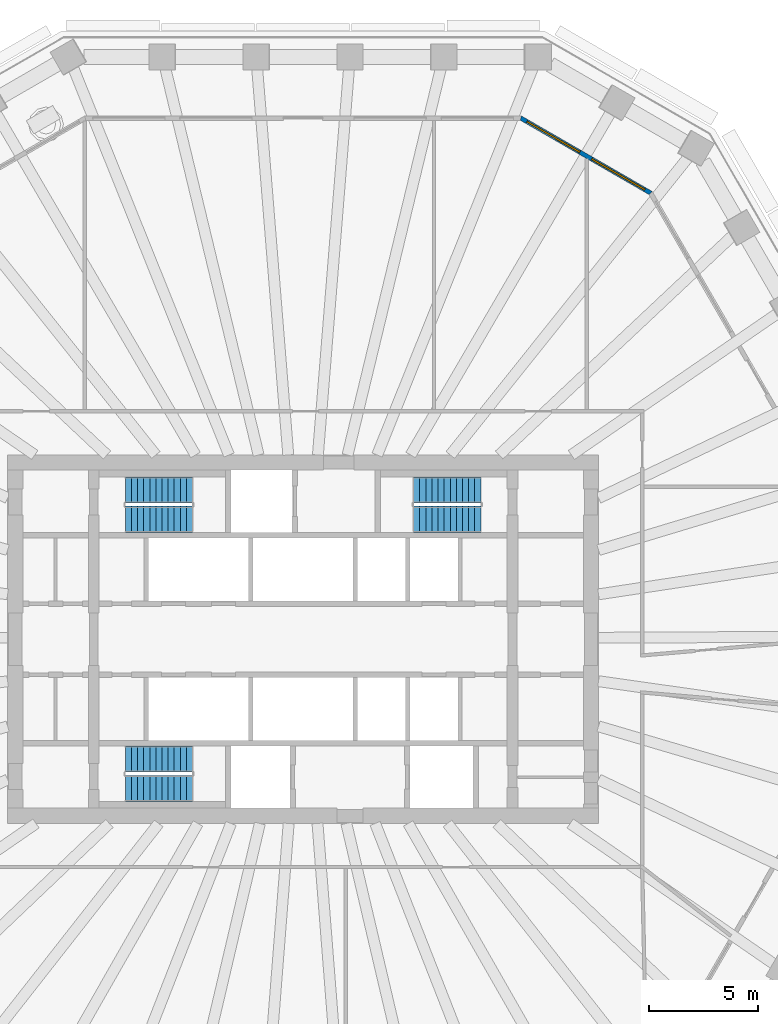
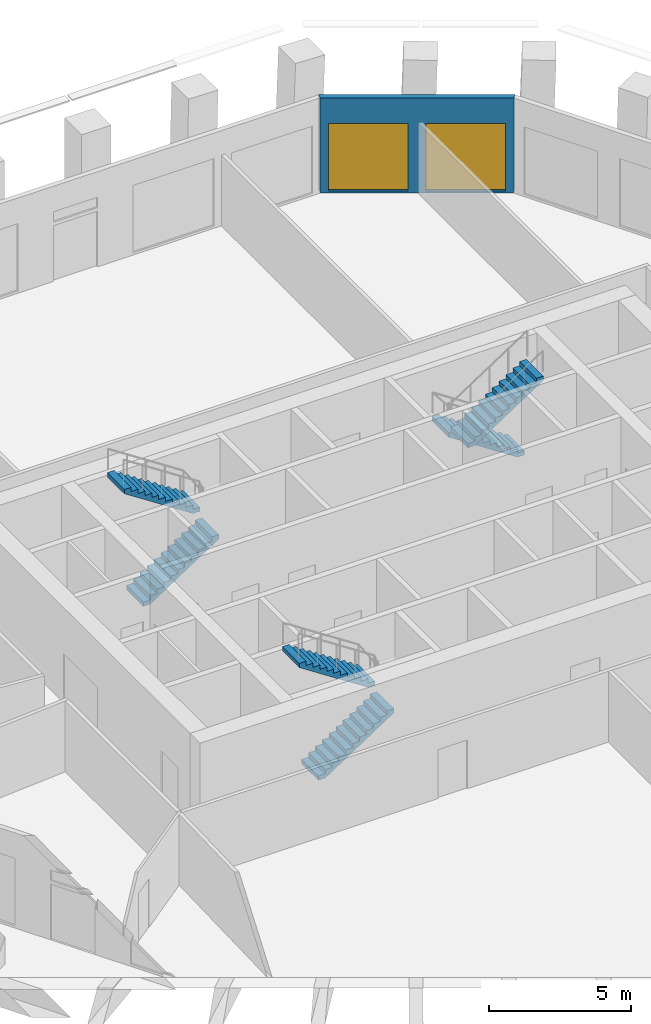
# One storey, part 8 of 12: 6 stair flights, 2 windows, 1 wall, 2 openings, 3 elements without a shape of their own.
"""IFC4 building model written with IfcOpenShell, lengths in metres."""

from ifc_helpers import new_model, si_unit, direction, frame, frame_2d, origin, place, context, subcontext, project, spatial, polyline, rectangle, outline, extrude, material, layer, layer_set, type_object, element, fill, aggregate, save


model = new_model("IFC4")

# Units and contexts
model_context = context("Model", 3, precision=1e-05, world=origin(), true_north=direction((0.0, 1.0)))
body_context = subcontext(model_context, "Body", "Model", "MODEL_VIEW")
ifc_project = project(units=[si_unit("LENGTHUNIT", "METRE"), si_unit("AREAUNIT", "SQUARE_METRE"), si_unit("VOLUMEUNIT", "CUBIC_METRE"), si_unit("PLANEANGLEUNIT", "RADIAN"), si_unit("MASSUNIT", "GRAM", prefix="KILO")], contexts=[model_context])

# Site, building, storey
site_placement = place(None, origin())
site = spatial("IfcSite", under=ifc_project, at=site_placement, CompositionType="ELEMENT")
building_placement = place(site_placement, origin())
building = spatial("IfcBuilding", under=site, at=building_placement, Name="Frailejon Research Tower", CompositionType="ELEMENT")
storey_placement = place(building_placement, frame((0.0, 0.0, 149.60009765625)))
storey = spatial("IfcBuildingStorey", under=building, at=storey_placement, Name="L32", CompositionType="ELEMENT", Elevation=149.60009765625)

# Wall, openings, windows
ifc_material_1 = material(Name="Concrete C40/50 precast window wall panel", Category="concrete")
ifc_layer_1 = layer(ifc_material_1, 0.199951171875)
ifc_layer_set_1 = layer_set([ifc_layer_1], Name="Window wall 200")
wall_type = type_object("IfcWallType", Name="Window wall 200", PredefinedType="SOLIDWALL", material=ifc_layer_set_1)
wall_placement = place(storey_placement, frame((15.94287109375, 20.462646484375, 0.0), z_axis=(0.0, 0.0, 1.0), x_axis=(-0.866029458321, 0.49999297727, 0.0)))
wall = element("IfcWall", 1, at=wall_placement, inside=storey, type_object=wall_type, Name="Exterior wall L32", PredefinedType="SOLIDWALL", context=body_context, shape_type="SweptSolid", body=[
    extrude(outline(polyline([(-0.02685546875, -0.10009765625), (1.1279296875, -0.10009765625), (2.282470703125, -0.10009765625), (3.437255859375, -0.10009765625), (4.592041015625, -0.10009765625), (5.74658203125, -0.10009765625), (6.9013671875, -0.10009765625), (6.84765625, 0.10009765625), (5.7109375, 0.10009765625), (4.573974609375, 0.10009765625), (3.437255859375, 0.10009765625), (2.300537109375, 0.10009765625), (1.16357421875, 0.10009765625), (0.02685546875, 0.10009765625), (-0.02685546875, -0.10009765625)])), origin(), (0.0, 0.0, 1.0), 4.099853515625),
])
opening_1_placement = place(wall_placement, frame((0.318603515625, 0.0, 0.10009765625)))
opening_1 = element("IfcOpeningElement", 2, at=opening_1_placement, cuts=wall, Name="Opening W3", PredefinedType="OPENING", context=body_context, shape_type="SweptSolid", body=[
    extrude(rectangle(XDim=2.800048828125, YDim=2.89990234375, at=frame_2d((1.39990234375, 1.449951171875))), frame((0.0, 0.10986328125, 0.0), z_axis=(0.0, -1.0, 0.0), x_axis=(1.0, 0.0, 0.0)), (0.0, 0.0, 1.0), 0.219970703125),
])
opening_2_placement = place(wall_placement, frame((3.756103515625, 0.0, 0.10009765625)))
opening_2 = element("IfcOpeningElement", 3, at=opening_2_placement, cuts=wall, Name="Opening W3", PredefinedType="OPENING", context=body_context, shape_type="SweptSolid", body=[
    extrude(rectangle(XDim=2.800048828125, YDim=2.89990234375, at=frame_2d((1.39990234375, 1.449951171875))), frame((0.0, 0.10986328125, 0.0), z_axis=(0.0, -1.0, 0.0), x_axis=(1.0, 0.0, 0.0)), (0.0, 0.0, 1.0), 0.219970703125),
])
ifc_material_2 = material(Name="Aluminium framed double glazing", Category="aluminium")
window_type = type_object("IfcWindowType", Name="Window 2800x2900", PartitioningType="SINGLE_PANEL", PredefinedType="WINDOW", material=ifc_material_2)
window_1_placement = place(opening_1_placement, origin())
window_1 = element("IfcWindow", 4, at=window_1_placement, inside=storey, type_object=window_type, Name="Window L32", OverallHeight=2.89990234375, OverallWidth=2.800048828125, PartitioningType="SINGLE_PANEL", PredefinedType="WINDOW", context=body_context, shape_type="SweptSolid", body=[
    extrude(rectangle(XDim=2.800048828125, YDim=2.89990234375, at=frame_2d((1.39990234375, 1.449951171875))), frame((0.0, 0.030029296875, 0.0), z_axis=(0.0, -1.0, 0.0), x_axis=(1.0, 0.0, 0.0)), (0.0, 0.0, 1.0), 0.06005859375),
])
fill(opening_1, window_1)
window_2_placement = place(opening_2_placement, origin())
window_2 = element("IfcWindow", 5, at=window_2_placement, inside=storey, type_object=window_type, Name="Window L32", OverallHeight=2.89990234375, OverallWidth=2.800048828125, PartitioningType="SINGLE_PANEL", PredefinedType="WINDOW", context=body_context, shape_type="SweptSolid", body=[
    extrude(rectangle(XDim=2.800048828125, YDim=2.89990234375, at=frame_2d((1.39990234375, 1.449951171875))), frame((0.0, 0.030029296875, 0.0), z_axis=(0.0, -1.0, 0.0), x_axis=(1.0, 0.0, 0.0)), (0.0, 0.0, 1.0), 0.06005859375),
])
fill(opening_2, window_2)

# Stair, stair flights
ifc_material_3 = material(Name="Concrete C50/60", Category="concrete")
stair_type = type_object("IfcStairType", Name="Exit stair 24 risers", PredefinedType="HALF_TURN_STAIR", material=ifc_material_3)
stair_1_placement = place(storey_placement, origin())
stair_1 = element("IfcStair", 6, at=stair_1_placement, inside=storey, type_object=stair_type, Name="L32 Exit stair ST1", PredefinedType="HALF_TURN_STAIR")
ifc_material_4 = material(Name="Concrete C50/60", Category="concrete")
ifc_layer_2 = layer(ifc_material_4, 0.14990234375)
ifc_layer_set_2 = layer_set([ifc_layer_2], Name="Stair flight 12 risers")
stair_flight_type = type_object("IfcStairFlightType", Name="Stair flight 12 risers", PredefinedType="STRAIGHT", material=ifc_layer_set_2)
stair_flight_1_placement = place(storey_placement, frame((-8.14990234375, 5.5, 0.0), z_axis=(0.0, 0.0, 1.0), x_axis=(1.0, 0.0, 0.0)))
stair_flight_1 = element("IfcStairFlight", 7, at=stair_flight_1_placement, type_object=stair_flight_type, Name="ST1 flight 1", NumberOfRisers=12, NumberOfTreads=11, PredefinedType="STRAIGHT", RiserHeight=0.183333333, TreadLength=0.28, context=body_context, shape_type="SweptSolid", body=[
    extrude(outline(polyline([(0.0, 0.0), (0.0, 0.183349609375), (0.280029296875, 0.183349609375), (0.280029296875, 0.36669921875), (0.56005859375, 0.36669921875), (0.56005859375, 0.550048828125), (0.840087890625, 0.550048828125), (0.840087890625, 0.7333984375), (1.1201171875, 0.7333984375), (1.1201171875, 0.916748046875), (1.39990234375, 0.916748046875), (1.39990234375, 1.10009765625), (1.679931640625, 1.10009765625), (1.679931640625, 1.283447265625), (1.9599609375, 1.283447265625), (1.9599609375, 1.466552734375), (2.239990234375, 1.466552734375), (2.239990234375, 1.64990234375), (2.52001953125, 1.64990234375), (2.52001953125, 1.833251953125), (2.800048828125, 1.833251953125), (2.800048828125, 2.0166015625), (3.080078125, 2.0166015625), (3.080078125, 2.199951171875), (3.080078125, 1.83740234375), (0.273681640625, 0.0), (0.0, 0.0)])), frame((0.0, 0.60009765625, 0.0), z_axis=(0.0, -1.0, 0.0), x_axis=(1.0, 0.0, 0.0)), (0.0, 0.0, 1.0), 1.199951171875),
])
stair_flight_2_placement = place(storey_placement, frame((-5.070068359375, 6.85009765625, 2.199951171875), z_axis=(0.0, 0.0, 1.0), x_axis=(-1.0, 0.0, 0.0)))
stair_flight_2 = element("IfcStairFlight", 8, at=stair_flight_2_placement, type_object=stair_flight_type, Name="ST1 flight 2", NumberOfRisers=12, NumberOfTreads=11, PredefinedType="STRAIGHT", RiserHeight=0.183333333, TreadLength=0.28, context=body_context, shape_type="SweptSolid", body=[
    extrude(outline(polyline([(0.0, 0.0), (0.0, 0.183349609375), (0.280029296875, 0.183349609375), (0.280029296875, 0.36669921875), (0.56005859375, 0.36669921875), (0.56005859375, 0.550048828125), (0.840087890625, 0.550048828125), (0.840087890625, 0.7333984375), (1.1201171875, 0.7333984375), (1.1201171875, 0.916748046875), (1.39990234375, 0.916748046875), (1.39990234375, 1.10009765625), (1.679931640625, 1.10009765625), (1.679931640625, 1.283447265625), (1.9599609375, 1.283447265625), (1.9599609375, 1.466552734375), (2.239990234375, 1.466552734375), (2.239990234375, 1.64990234375), (2.52001953125, 1.64990234375), (2.52001953125, 1.833251953125), (2.800048828125, 1.833251953125), (2.800048828125, 2.0166015625), (3.080078125, 2.0166015625), (3.080078125, 2.199951171875), (3.080078125, 1.83740234375), (0.273681640625, 0.0), (0.0, 0.0)])), frame((0.0, 0.60009765625, 0.0), z_axis=(0.0, -1.0, 0.0), x_axis=(1.0, 0.0, 0.0)), (0.0, 0.0, 1.0), 1.199951171875),
])
aggregate(stair_1, [stair_flight_1, stair_flight_2])

stair_2_placement = place(storey_placement, origin())
stair_2 = element("IfcStair", 9, at=stair_2_placement, inside=storey, type_object=stair_type, Name="L32 Exit stair ST2", PredefinedType="HALF_TURN_STAIR")
stair_flight_3_placement = place(storey_placement, frame((-8.14990234375, -6.85009765625, 0.0), z_axis=(0.0, 0.0, 1.0), x_axis=(1.0, 0.0, 0.0)))
stair_flight_3 = element("IfcStairFlight", 10, at=stair_flight_3_placement, type_object=stair_flight_type, Name="ST2 flight 1", NumberOfRisers=12, NumberOfTreads=11, PredefinedType="STRAIGHT", RiserHeight=0.183333333, TreadLength=0.28, context=body_context, shape_type="SweptSolid", body=[
    extrude(outline(polyline([(0.0, 0.0), (0.0, 0.183349609375), (0.280029296875, 0.183349609375), (0.280029296875, 0.36669921875), (0.56005859375, 0.36669921875), (0.56005859375, 0.550048828125), (0.840087890625, 0.550048828125), (0.840087890625, 0.7333984375), (1.1201171875, 0.7333984375), (1.1201171875, 0.916748046875), (1.39990234375, 0.916748046875), (1.39990234375, 1.10009765625), (1.679931640625, 1.10009765625), (1.679931640625, 1.283447265625), (1.9599609375, 1.283447265625), (1.9599609375, 1.466552734375), (2.239990234375, 1.466552734375), (2.239990234375, 1.64990234375), (2.52001953125, 1.64990234375), (2.52001953125, 1.833251953125), (2.800048828125, 1.833251953125), (2.800048828125, 2.0166015625), (3.080078125, 2.0166015625), (3.080078125, 2.199951171875), (3.080078125, 1.83740234375), (0.273681640625, 0.0), (0.0, 0.0)])), frame((0.0, 0.60009765625, 0.0), z_axis=(0.0, -1.0, 0.0), x_axis=(1.0, 0.0, 0.0)), (0.0, 0.0, 1.0), 1.199951171875),
])
stair_flight_4_placement = place(storey_placement, frame((-5.070068359375, -5.5, 2.199951171875), z_axis=(0.0, 0.0, 1.0), x_axis=(-1.0, 0.0, 0.0)))
stair_flight_4 = element("IfcStairFlight", 11, at=stair_flight_4_placement, type_object=stair_flight_type, Name="ST2 flight 2", NumberOfRisers=12, NumberOfTreads=11, PredefinedType="STRAIGHT", RiserHeight=0.183333333, TreadLength=0.28, context=body_context, shape_type="SweptSolid", body=[
    extrude(outline(polyline([(0.0, 0.0), (0.0, 0.183349609375), (0.280029296875, 0.183349609375), (0.280029296875, 0.36669921875), (0.56005859375, 0.36669921875), (0.56005859375, 0.550048828125), (0.840087890625, 0.550048828125), (0.840087890625, 0.7333984375), (1.1201171875, 0.7333984375), (1.1201171875, 0.916748046875), (1.39990234375, 0.916748046875), (1.39990234375, 1.10009765625), (1.679931640625, 1.10009765625), (1.679931640625, 1.283447265625), (1.9599609375, 1.283447265625), (1.9599609375, 1.466552734375), (2.239990234375, 1.466552734375), (2.239990234375, 1.64990234375), (2.52001953125, 1.64990234375), (2.52001953125, 1.833251953125), (2.800048828125, 1.833251953125), (2.800048828125, 2.0166015625), (3.080078125, 2.0166015625), (3.080078125, 2.199951171875), (3.080078125, 1.83740234375), (0.273681640625, 0.0), (0.0, 0.0)])), frame((0.0, 0.60009765625, 0.0), z_axis=(0.0, -1.0, 0.0), x_axis=(1.0, 0.0, 0.0)), (0.0, 0.0, 1.0), 1.199951171875),
])
aggregate(stair_2, [stair_flight_3, stair_flight_4])

stair_3_placement = place(storey_placement, origin())
stair_3 = element("IfcStair", 12, at=stair_3_placement, inside=storey, type_object=stair_type, Name="L32 Exit stair ST3", PredefinedType="HALF_TURN_STAIR")
stair_flight_5_placement = place(storey_placement, frame((8.14990234375, 6.85009765625, 0.0), z_axis=(0.0, 0.0, 1.0), x_axis=(-1.0, 0.0, 0.0)))
stair_flight_5 = element("IfcStairFlight", 13, at=stair_flight_5_placement, type_object=stair_flight_type, Name="ST3 flight 1", NumberOfRisers=12, NumberOfTreads=11, PredefinedType="STRAIGHT", RiserHeight=0.183333333, TreadLength=0.28, context=body_context, shape_type="SweptSolid", body=[
    extrude(outline(polyline([(0.0, 0.0), (0.0, 0.183349609375), (0.280029296875, 0.183349609375), (0.280029296875, 0.36669921875), (0.56005859375, 0.36669921875), (0.56005859375, 0.550048828125), (0.840087890625, 0.550048828125), (0.840087890625, 0.7333984375), (1.1201171875, 0.7333984375), (1.1201171875, 0.916748046875), (1.39990234375, 0.916748046875), (1.39990234375, 1.10009765625), (1.679931640625, 1.10009765625), (1.679931640625, 1.283447265625), (1.9599609375, 1.283447265625), (1.9599609375, 1.466552734375), (2.239990234375, 1.466552734375), (2.239990234375, 1.64990234375), (2.52001953125, 1.64990234375), (2.52001953125, 1.833251953125), (2.800048828125, 1.833251953125), (2.800048828125, 2.0166015625), (3.080078125, 2.0166015625), (3.080078125, 2.199951171875), (3.080078125, 1.83740234375), (0.273681640625, 0.0), (0.0, 0.0)])), frame((0.0, 0.60009765625, 0.0), z_axis=(0.0, -1.0, 0.0), x_axis=(1.0, 0.0, 0.0)), (0.0, 0.0, 1.0), 1.199951171875),
])
stair_flight_6_placement = place(storey_placement, frame((5.070068359375, 5.5, 2.199951171875), z_axis=(0.0, 0.0, 1.0), x_axis=(1.0, 0.0, 0.0)))
stair_flight_6 = element("IfcStairFlight", 14, at=stair_flight_6_placement, type_object=stair_flight_type, Name="ST3 flight 2", NumberOfRisers=12, NumberOfTreads=11, PredefinedType="STRAIGHT", RiserHeight=0.183333333, TreadLength=0.28, context=body_context, shape_type="SweptSolid", body=[
    extrude(outline(polyline([(0.0, 0.0), (0.0, 0.183349609375), (0.280029296875, 0.183349609375), (0.280029296875, 0.36669921875), (0.56005859375, 0.36669921875), (0.56005859375, 0.550048828125), (0.840087890625, 0.550048828125), (0.840087890625, 0.7333984375), (1.1201171875, 0.7333984375), (1.1201171875, 0.916748046875), (1.39990234375, 0.916748046875), (1.39990234375, 1.10009765625), (1.679931640625, 1.10009765625), (1.679931640625, 1.283447265625), (1.9599609375, 1.283447265625), (1.9599609375, 1.466552734375), (2.239990234375, 1.466552734375), (2.239990234375, 1.64990234375), (2.52001953125, 1.64990234375), (2.52001953125, 1.833251953125), (2.800048828125, 1.833251953125), (2.800048828125, 2.0166015625), (3.080078125, 2.0166015625), (3.080078125, 2.199951171875), (3.080078125, 1.83740234375), (0.273681640625, 0.0), (0.0, 0.0)])), frame((0.0, 0.60009765625, 0.0), z_axis=(0.0, -1.0, 0.0), x_axis=(1.0, 0.0, 0.0)), (0.0, 0.0, 1.0), 1.199951171875),
])
aggregate(stair_3, [stair_flight_5, stair_flight_6])

save(model, "model.ifc")
